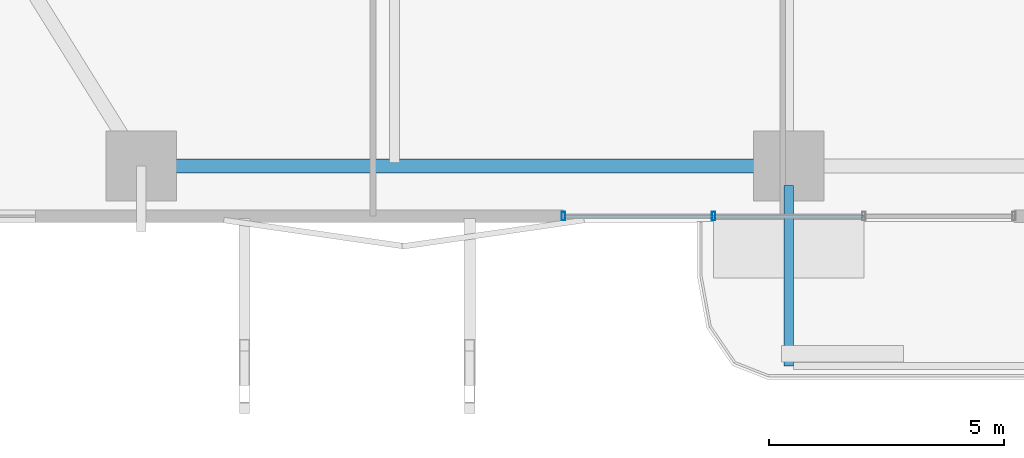
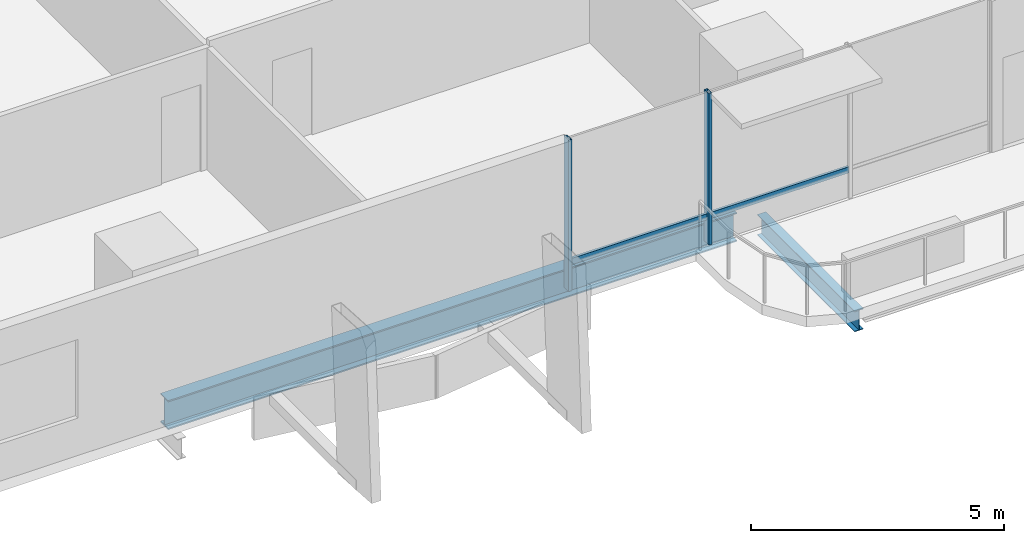
# One storey, part 2 of 24: 4 members, 2 beams, 1 element without a shape of its own.
"""IFC4 building model written with IfcOpenShell, lengths in metres."""

from ifc_helpers import new_model, si_unit, direction, frame, origin, origin_2d, place, context, subcontext, project, spatial, hollow_rectangle, i_section, extrude, material, layer, layer_set, material_profile, profile_set, type_object, element, aggregate, save


model = new_model("IFC4")

# Units and contexts
model_context = context("Model", 3, precision=1e-05, world=origin(), true_north=direction((0.0, 1.0)))
body_context = subcontext(model_context, "Body", "Model", "MODEL_VIEW")
ifc_project = project(units=[si_unit("LENGTHUNIT", "METRE"), si_unit("AREAUNIT", "SQUARE_METRE"), si_unit("VOLUMEUNIT", "CUBIC_METRE"), si_unit("PLANEANGLEUNIT", "RADIAN"), si_unit("MASSUNIT", "GRAM", prefix="KILO")], contexts=[model_context])

# Site, building, storey
site_placement = place(None, origin())
site = spatial("IfcSite", under=ifc_project, at=site_placement, CompositionType="ELEMENT")
building_placement = place(site_placement, origin())
building = spatial("IfcBuilding", under=site, at=building_placement, Name="Belovzor Exchange Tower", CompositionType="ELEMENT")
storey_placement = place(building_placement, frame((0.0, 0.0, 33.89990234375)))
storey = spatial("IfcBuildingStorey", under=building, at=storey_placement, Name="L07", CompositionType="ELEMENT", Elevation=33.89990234375)

# Beam
ifc_material_1 = material(Name="Steel S355", Category="steel")
ifc_material_profile_1 = material_profile(ifc_material_1, i_section(OverallWidth=0.199951171875, OverallDepth=0.5, WebThickness=0.01025390625, FlangeThickness=0.01611328125, at=origin_2d()))
ifc_profile_set_1 = profile_set([ifc_material_profile_1], Name="Steel S355")
beam_type_1 = type_object("IfcBeamType", Name="Planted Balcony Cantilever Beam IPE 500", PredefinedType="BEAM", material=ifc_profile_set_1)
beam_1_placement = place(storey_placement, frame((28.800048828125, 1.68798828125, -0.5), z_axis=(0.0, -1.0, 0.0), x_axis=(1.0, 0.0, 0.0)))
element("IfcBeam", 1, at=beam_1_placement, inside=storey, type_object=beam_type_1, Name="BC-500 Planted Balcony Cantilever Beam IPE 500", PredefinedType="BEAM", context=body_context, shape_type="SweptSolid", body=[
    extrude(i_section(OverallWidth=0.199951171875, OverallDepth=0.5, WebThickness=0.01025390625, FlangeThickness=0.01611328125, at=origin_2d()), origin(), (0.0, 0.0, 1.0), 3.85009765625),
])

# Curtain wall, members
ifc_material_2 = material(Name="Anodised Aluminium Framing", Category="aluminium")
ifc_layer = layer(ifc_material_2, 0.179931640625)
ifc_layer_set = layer_set([ifc_layer], Name="Anodised Aluminium Framing")
curtain_wall_type = type_object("IfcCurtainWallType", Name="Recessed Loggia Low-Iron Triple-Glazed Curtain Wall", PredefinedType="NOTDEFINED", material=ifc_layer_set)
curtain_wall_placement = place(storey_placement, origin())
curtain_wall = element("IfcCurtainWall", 2, at=curtain_wall_placement, inside=storey, type_object=curtain_wall_type, Name="CW3 Recessed Loggia Low-Iron Triple-Glazed Curtain Wall L07", PredefinedType="NOTDEFINED")
ifc_material_3 = material(Name="Steel S355", Category="steel")
ifc_material_profile_2 = material_profile(ifc_material_3, hollow_rectangle(XDim=0.074951171875, YDim=0.179931640625, WallThickness=0.0048828125, at=origin_2d()))
ifc_profile_set_2 = profile_set([ifc_material_profile_2], Name="Steel S355")
member_type_1 = type_object("IfcMemberType", Name="Thermally Broken Curtain Wall Mullion 180x75", PredefinedType="MULLION", material=ifc_profile_set_2)
member_1_placement = place(storey_placement, frame((27.199951171875, 1.030029296875, 0.0), z_axis=(0.0, 0.0, 1.0), x_axis=(-1.0, 0.0, 0.0)))
member_1 = element("IfcMember", 3, at=member_1_placement, type_object=member_type_1, Name="CW-M180 Curtain Wall Mullion 3", PredefinedType="MULLION", context=body_context, shape_type="SweptSolid", body=[
    extrude(hollow_rectangle(XDim=0.074951171875, YDim=0.179931640625, WallThickness=0.0048828125, at=origin_2d()), origin(), (0.0, 0.0, 1.0), 3.650146484375),
])
member_2_placement = place(storey_placement, frame((24.0, 1.030029296875, 0.0), z_axis=(0.0, 0.0, 1.0), x_axis=(-1.0, 0.0, 0.0)))
member_2 = element("IfcMember", 4, at=member_2_placement, type_object=member_type_1, Name="CW-M180 Curtain Wall Mullion 4", PredefinedType="MULLION", context=body_context, shape_type="SweptSolid", body=[
    extrude(hollow_rectangle(XDim=0.074951171875, YDim=0.179931640625, WallThickness=0.0048828125, at=origin_2d()), origin(), (0.0, 0.0, 1.0), 3.650146484375),
])
ifc_material_4 = material(Name="Steel S355", Category="steel")
ifc_material_profile_3 = material_profile(ifc_material_4, hollow_rectangle(XDim=0.06005859375, YDim=0.14990234375, WallThickness=0.00390625, at=origin_2d()))
ifc_profile_set_3 = profile_set([ifc_material_profile_3], Name="Steel S355")
member_type_2 = type_object("IfcMemberType", Name="Thermally Broken Curtain Wall Transom 150x60", PredefinedType="USERDEFINED", material=ifc_profile_set_3)
member_3_placement = place(storey_placement, frame((30.39208984375, 1.030029296875, 0.650146484375), z_axis=(-1.0, 0.0, 0.0), x_axis=(0.0, -1.0, 0.0)))
member_3 = element("IfcMember", 5, at=member_3_placement, type_object=member_type_2, Name="CW-T150 Curtain Wall Transom 2", ObjectType="TRANSOM", PredefinedType="USERDEFINED", context=body_context, shape_type="SweptSolid", body=[
    extrude(hollow_rectangle(XDim=0.06005859375, YDim=0.14990234375, WallThickness=0.00390625, at=origin_2d()), origin(), (0.0, 0.0, 1.0), 3.18408203125),
])
member_4_placement = place(storey_placement, frame((27.19189453125, 1.030029296875, 0.650146484375), z_axis=(-1.0, 0.0, 0.0), x_axis=(0.0, -1.0, 0.0)))
member_4 = element("IfcMember", 6, at=member_4_placement, type_object=member_type_2, Name="CW-T150 Curtain Wall Transom 3", ObjectType="TRANSOM", PredefinedType="USERDEFINED", context=body_context, shape_type="SweptSolid", body=[
    extrude(hollow_rectangle(XDim=0.06005859375, YDim=0.14990234375, WallThickness=0.00390625, at=origin_2d()), origin(), (0.0, 0.0, 1.0), 3.183837890625),
])
aggregate(curtain_wall, [member_1, member_2, member_3, member_4])

# Beam
ifc_material_5 = material(Name="Steel S355", Category="steel")
ifc_material_profile_4 = material_profile(ifc_material_5, i_section(OverallWidth=0.300048828125, OverallDepth=0.699951171875, WebThickness=0.01708984375, FlangeThickness=0.031982421875, at=origin_2d()))
ifc_profile_set_4 = profile_set([ifc_material_profile_4], Name="Steel S355")
beam_type_2 = type_object("IfcBeamType", Name="Zone 1 Primary Perimeter Girder HEB 700", PredefinedType="BEAM", material=ifc_profile_set_4)
beam_2_placement = place(storey_placement, frame((15.412109375, 2.10009765625, -0.599853515625), z_axis=(1.0, 0.0, 0.0), x_axis=(0.0, 1.0, 0.0)))
element("IfcBeam", 7, at=beam_2_placement, inside=storey, type_object=beam_type_2, Name="FG-Z1 Zone 1 Primary Perimeter Girder HEB 700", PredefinedType="BEAM", context=body_context, shape_type="SweptSolid", body=[
    extrude(i_section(OverallWidth=0.300048828125, OverallDepth=0.699951171875, WebThickness=0.01708984375, FlangeThickness=0.031982421875, at=origin_2d()), origin(), (0.0, 0.0, 1.0), 12.974853515625),
])

save(model, "model.ifc")
